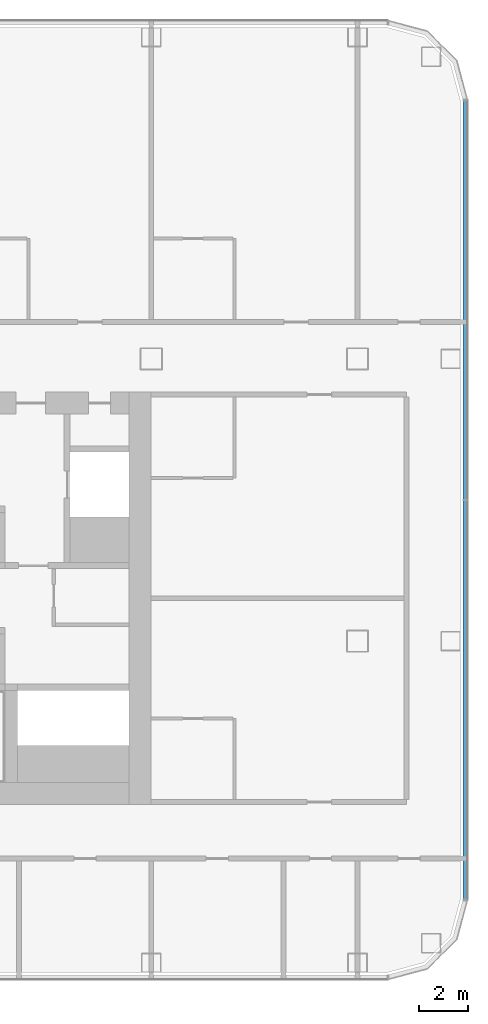
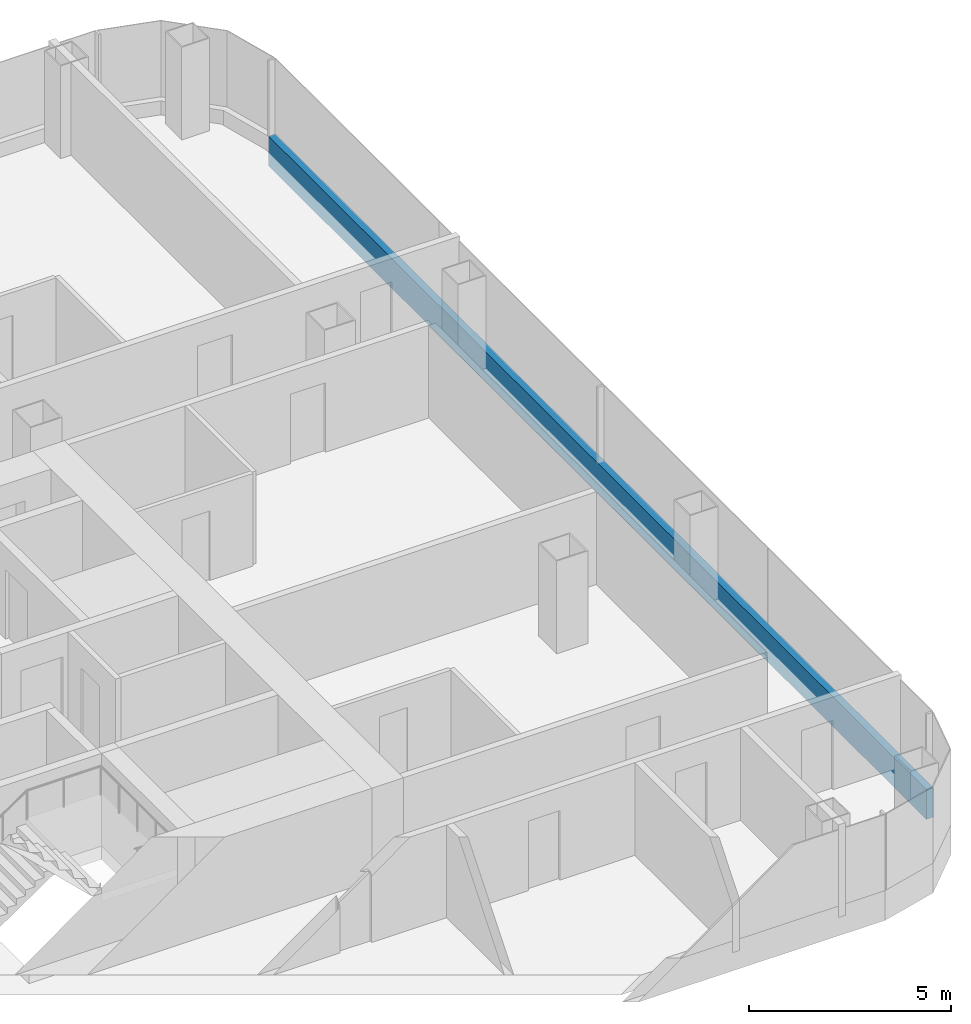
# One storey, part 12 of 29: 1 member, 1 element without a shape of its own.
"""IFC4 building model written with IfcOpenShell, lengths in metres."""

from ifc_helpers import new_model, si_unit, direction, frame, origin, origin_2d, place, context, subcontext, project, spatial, rectangle, extrude, material, layer, layer_set, material_profile, profile_set, type_object, element, aggregate, save


model = new_model("IFC4")

# Units and contexts
model_context = context("Model", 3, precision=1e-05, world=origin(), true_north=direction((0.0, 1.0)))
body_context = subcontext(model_context, "Body", "Model", "MODEL_VIEW")
ifc_project = project(units=[si_unit("LENGTHUNIT", "METRE"), si_unit("AREAUNIT", "SQUARE_METRE"), si_unit("VOLUMEUNIT", "CUBIC_METRE"), si_unit("PLANEANGLEUNIT", "RADIAN"), si_unit("MASSUNIT", "GRAM", prefix="KILO")], contexts=[model_context])

# Site, building, storey
site_placement = place(None, origin())
site = spatial("IfcSite", under=ifc_project, at=site_placement, CompositionType="ELEMENT")
building_placement = place(site_placement, origin())
building = spatial("IfcBuilding", under=site, at=building_placement, Name="Hakoniwa Tower and Hamabe Station Hall", CompositionType="ELEMENT")
storey_placement = place(building_placement, frame((0.0, 0.0, 75.39990234375)))
storey = spatial("IfcBuildingStorey", under=building, at=storey_placement, Name="L20", CompositionType="ELEMENT", Elevation=75.39990234375)

# Curtain wall, member
ifc_material_1 = material(Name="Dark low-e laminated glass", Category="glass")
ifc_layer = layer(ifc_material_1, 0.199951171875)
ifc_layer_set = layer_set([ifc_layer], Name="CW-1 UNITISED GUEST")
curtain_wall_type = type_object("IfcCurtainWallType", Name="CW-1 UNITISED GUEST", PredefinedType="NOTDEFINED", material=ifc_layer_set)
curtain_wall_placement = place(storey_placement, origin())
curtain_wall = element("IfcCurtainWall", 1, at=curtain_wall_placement, inside=storey, type_object=curtain_wall_type, Name="CW-1 curtain wall", PredefinedType="NOTDEFINED")
ifc_material_2 = material(Name="Aluminium 6063-T5 black anodised", Category="aluminium")
ifc_material_profile = material_profile(ifc_material_2, rectangle(XDim=0.199951171875, YDim=0.89990234375, at=origin_2d()), Name="CW SLAB-EDGE BAND 900X200")
ifc_profile_set = profile_set([ifc_material_profile], Name="Aluminium 6063-T5 black anodised")
member_type = type_object("IfcMemberType", Name="CW SLAB-EDGE BAND 900X200", PredefinedType="USERDEFINED", material=ifc_profile_set)
member_placement = place(storey_placement, frame((46.39990234375, -12.28955078125, -0.099853515625), z_axis=(0.0, 1.0, 0.0), x_axis=(-1.0, 0.0, 0.0)))
member = element("IfcMember", 2, at=member_placement, type_object=member_type, Name="CW-1 transom", ObjectType="TRANSOM", PredefinedType="USERDEFINED", context=body_context, shape_type="SweptSolid", body=[
    extrude(rectangle(XDim=0.199951171875, YDim=0.89990234375, at=origin_2d()), origin(), (0.0, 0.0, 1.0), 32.5791015625),
])
aggregate(curtain_wall, [member])

save(model, "model.ifc")
